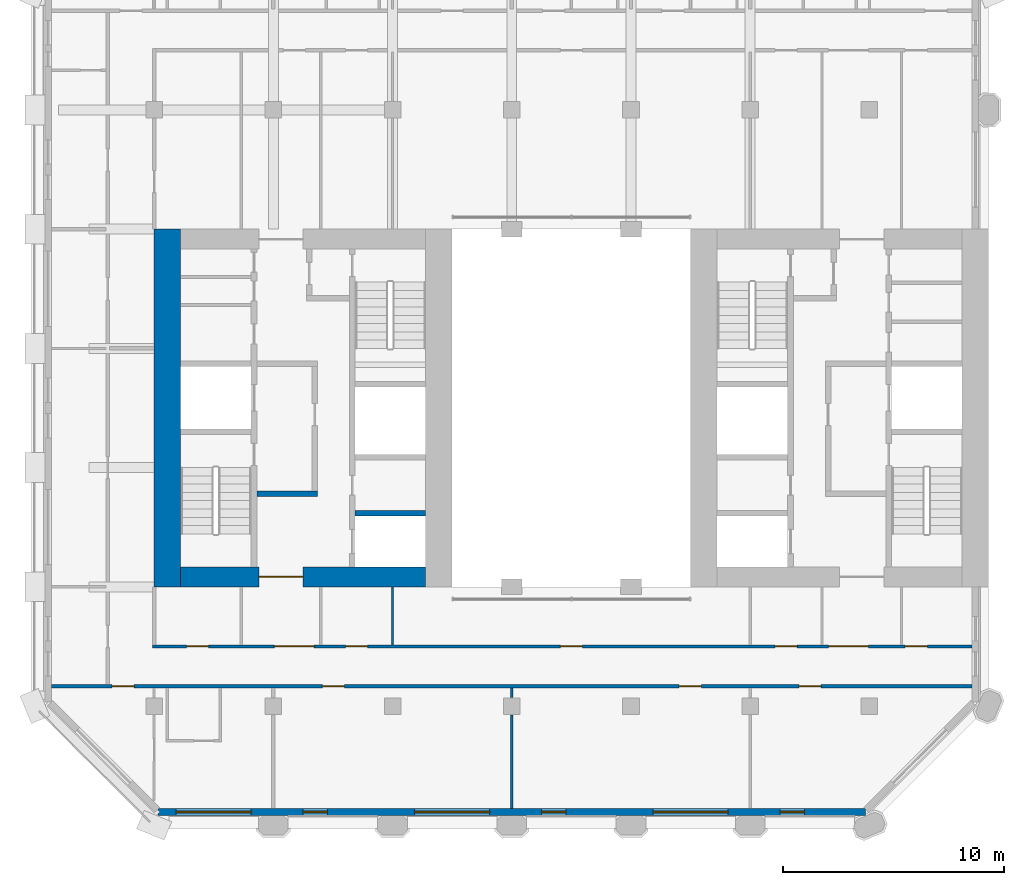
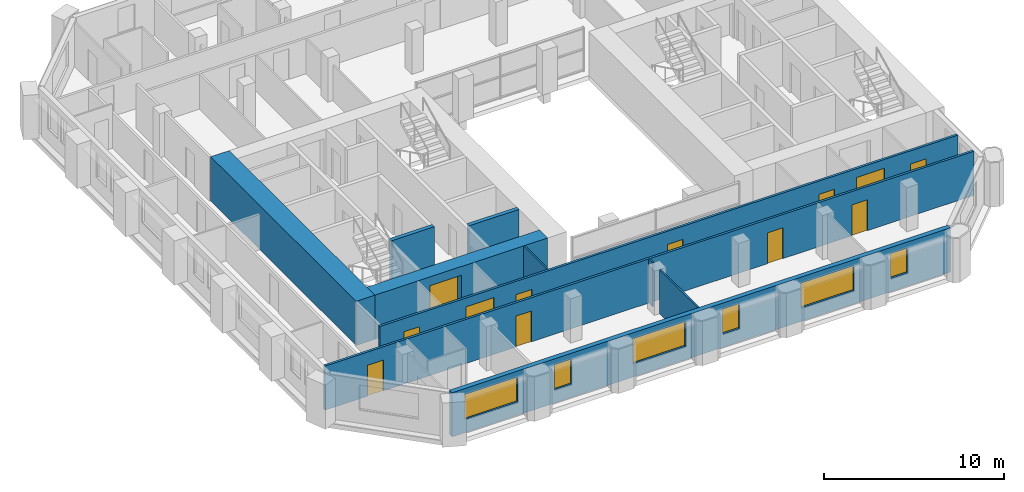
# One storey, part 6 of 14: 12 doors, 10 walls, 6 windows, 18 openings.
"""IFC4 building model written with IfcOpenShell, lengths in metres."""

import ifcopenshell
import ifcopenshell.guid

model = None  # the IFC model being written
_history = None  # IfcOwnerHistory: only IFC2X3 demands one
_inside = {}  # id of a spatial element -> (the spatial element, [elements in it])
_under = {}  # id of a project, library or spatial element -> (it, [spatial elements below it])
_declared = {}  # id of a project -> (the project, [libraries it declares])
_typed = {}  # id of a type object -> (the type object, [elements of that type])
_made_of = {}  # id of a material, layer set ... -> (it, [elements and type objects made of it])


def new_model(schema):
    """Start an empty IFC model of exactly this schema.

    Asked for "IFC4X3", IfcOpenShell would pick the latest addendum, in which some entities
    have other attributes; the version numbers below select the first issue.
    IFC2X3 requires an IfcOwnerHistory on every rooted entity: one is made here for all.
    """
    global model, _history
    if schema == "IFC4X3":
        model = ifcopenshell.file(schema_version=(4, 3, 0, 0))
    else:
        model = ifcopenshell.file(schema=schema)
    _inside.clear()
    _under.clear()
    _declared.clear()
    _typed.clear()
    _made_of.clear()
    _history = None
    if model.schema == "IFC2X3":
        org = make("IfcOrganization", Name="unknown")
        user = make(
            "IfcPersonAndOrganization",
            ThePerson=make("IfcPerson", FamilyName="unknown"),
            TheOrganization=org,
        )
        app = make(
            "IfcApplication",
            ApplicationDeveloper=org,
            Version="unknown",
            ApplicationFullName="unknown",
            ApplicationIdentifier="unknown",
        )
        _history = make(
            "IfcOwnerHistory",
            OwningUser=user,
            OwningApplication=app,
            ChangeAction="ADDED",
            CreationDate=0,
        )
    return model


def make(cls, **values):
    """One entity of the class cls with the attributes given. An attribute that is None is left unset."""
    return model.create_entity(
        cls, **{name: value for name, value in values.items() if value is not None}
    )


def rooted(cls, **values):
    """An entity with a GlobalId (a new one), such as an element, a storey or a relation."""
    return make(cls, GlobalId=ifcopenshell.guid.new(), OwnerHistory=_history, **values)


def si_unit(unit_type, name, prefix=None):
    """IfcSIUnit, for example si_unit("LENGTHUNIT", "METRE", prefix="MILLI")."""
    return make("IfcSIUnit", UnitType=unit_type, Prefix=prefix, Name=name)


def assignment(units):
    """IfcUnitAssignment: the units of a project."""
    return None if units is None else make("IfcUnitAssignment", Units=units)


def point(xyz):
    """IfcCartesianPoint."""
    return None if xyz is None else make("IfcCartesianPoint", Coordinates=xyz)


def direction(xyz):
    """IfcDirection."""
    return None if xyz is None else make("IfcDirection", DirectionRatios=xyz)


def frame(location, z_axis=None, x_axis=None):
    """IfcAxis2Placement3D, a coordinate frame: its origin and axes. An axis left out is left unset."""
    return make(
        "IfcAxis2Placement3D",
        Location=point(location),
        Axis=direction(z_axis),
        RefDirection=direction(x_axis),
    )


def frame_2d(location, x_axis=None):
    """IfcAxis2Placement2D, a coordinate frame in the plane: its origin and x axis."""
    return make(
        "IfcAxis2Placement2D", Location=point(location), RefDirection=direction(x_axis)
    )


def origin():
    """The frame at (0, 0, 0) with its axes left unset."""
    return frame((0.0, 0.0, 0.0))


def place(relative_to, where):
    """IfcLocalPlacement: puts the frame where relative to a parent placement (None: the world)."""
    return make(
        "IfcLocalPlacement", PlacementRelTo=relative_to, RelativePlacement=where
    )


def context(
    kind, dimensions, precision=None, world=None, true_north=None, identifier=None
):
    """IfcGeometricRepresentationContext, for example the 3D "Model" context."""
    return make(
        "IfcGeometricRepresentationContext",
        ContextIdentifier=identifier,
        ContextType=kind,
        CoordinateSpaceDimension=dimensions,
        Precision=precision,
        WorldCoordinateSystem=world,
        TrueNorth=true_north,
    )


def subcontext(parent, identifier, kind, view, scale=None):
    """IfcGeometricRepresentationSubContext, for example "Body" below "Model"."""
    return make(
        "IfcGeometricRepresentationSubContext",
        ContextIdentifier=identifier,
        ContextType=kind,
        ParentContext=parent,
        TargetScale=scale,
        TargetView=view,
    )


def project(units=None, contexts=None):
    """IfcProject with its units and contexts."""
    return rooted(
        "IfcProject",
        Name="project",
        RepresentationContexts=contexts,
        UnitsInContext=assignment(units),
    )


def spatial(cls, under=None, at=None, **own):
    """A site, building, storey or space (cls), placed at a placement, below another one or the project."""
    s = rooted(cls, ObjectPlacement=at, **own)
    if under is not None:
        _under.setdefault(under.id(), (under, []))[1].append(s)
    return s


def profile(cls, at=None, kind="AREA", **sizes):
    """A parametric profile (cls). Its sizes go by their IFC names, for example OverallWidth=200.0."""
    return make(cls, ProfileType=kind, Position=at, **sizes)


def rectangle(**sizes):
    """IfcRectangleProfileDef."""
    return profile("IfcRectangleProfileDef", **sizes)


def extrude(swept, where, along, depth):
    """IfcExtrudedAreaSolid: the profile swept, set in the frame where, extruded along a direction by depth."""
    return make(
        "IfcExtrudedAreaSolid",
        SweptArea=swept,
        Position=where,
        ExtrudedDirection=direction(along),
        Depth=depth,
    )


def shape(context_of_items, identifier, shape_type, items):
    """IfcShapeRepresentation: the items that make up one representation, for example the "Body"."""
    return make(
        "IfcShapeRepresentation",
        ContextOfItems=context_of_items,
        RepresentationIdentifier=identifier,
        RepresentationType=shape_type,
        Items=items,
    )


def material(Name=None, Category=None):
    """IfcMaterial."""
    return make("IfcMaterial", Name=Name, Category=Category)


def layer(
    of_material, thickness, ventilated=None, Name=None, Category=None, Priority=None
):
    """IfcMaterialLayer: one layer of a wall or slab, of a material (None: an air gap)."""
    return make(
        "IfcMaterialLayer",
        Material=of_material,
        LayerThickness=thickness,
        IsVentilated=ventilated,
        Name=Name,
        Category=Category,
        Priority=Priority,
    )


def layer_set(layers, Name=None):
    """IfcMaterialLayerSet."""
    return make("IfcMaterialLayerSet", MaterialLayers=layers, LayerSetName=Name)


def made_of(thing, what):
    """Note that an element or type object is made of a material, layer set ...; save() writes the relation."""
    if what is not None:
        _made_of.setdefault(what.id(), (what, []))[1].append(thing)
    return thing


def type_object(cls, material=None, **own):
    """A type object (cls), such as IfcWallType, which elements share."""
    return made_of(rooted(cls, **own), material)


def element(
    cls,
    number,
    at=None,
    inside=None,
    cuts=None,
    type_object=None,
    material=None,
    context=None,
    identifier="Body",
    shape_type=None,
    held_by="IfcProductDefinitionShape",
    body=None,
    shapes=None,
    **own,
):
    """One element of the class cls, such as IfcWall. Its Tag is "e" and its number.

    at: its placement. inside: the storey or other place that contains it. cuts: it is an
    opening in that element (IfcRelVoidsElement). A single representation is given by context,
    identifier, shape_type and body (its items); several are given by shapes. held_by: the class
    of the entity that holds the representations. save() writes the other relations.
    """
    e = rooted(cls, Tag="e%d" % number, ObjectPlacement=at, **own)
    if body is not None:
        shapes = [shape(context, identifier, shape_type, body)]
    if shapes is not None:
        e.Representation = make(held_by, Representations=shapes)
    if inside is not None:
        _inside.setdefault(inside.id(), (inside, []))[1].append(e)
    if cuts is not None:
        rooted(
            "IfcRelVoidsElement", RelatingBuildingElement=cuts, RelatedOpeningElement=e
        )
    if type_object is not None:
        _typed.setdefault(type_object.id(), (type_object, []))[1].append(e)
    return made_of(e, material)


def fill(opening, filler):
    """IfcRelFillsElement: the door or window that sits in an opening."""
    return rooted(
        "IfcRelFillsElement",
        RelatingOpeningElement=opening,
        RelatedBuildingElement=filler,
    )


def aggregate(whole, parts):
    """IfcRelAggregates: a whole, such as a stair, and the parts it consists of."""
    return rooted("IfcRelAggregates", RelatingObject=whole, RelatedObjects=parts)


def save(model, path):
    """Write the relations noted so far, then the file.

    IfcRelAggregates (storeys below a building ...), IfcRelContainedInSpatialStructure (elements
    in a storey), IfcRelDefinesByType, IfcRelAssociatesMaterial and IfcRelDeclares: one each for
    every whole, place, type object, material and project.
    """
    for whole, parts in _under.values():
        aggregate(whole, parts)
    for where, things in _inside.values():
        rooted(
            "IfcRelContainedInSpatialStructure",
            RelatedElements=things,
            RelatingStructure=where,
        )
    for kind, things in _typed.values():
        rooted("IfcRelDefinesByType", RelatedObjects=things, RelatingType=kind)
    for what, things in _made_of.values():
        rooted("IfcRelAssociatesMaterial", RelatedObjects=things, RelatingMaterial=what)
    for by, libraries in _declared.values():
        rooted("IfcRelDeclares", RelatingContext=by, RelatedDefinitions=libraries)
    model.write(path)


model = new_model("IFC4")

# Units and contexts
model_context = context("Model", 3, precision=1e-05, world=origin(), true_north=direction((0.0, 1.0)))
body_context = subcontext(model_context, "Body", "Model", "MODEL_VIEW")
ifc_project = project(units=[si_unit("LENGTHUNIT", "METRE"), si_unit("AREAUNIT", "SQUARE_METRE"), si_unit("VOLUMEUNIT", "CUBIC_METRE"), si_unit("PLANEANGLEUNIT", "RADIAN"), si_unit("MASSUNIT", "GRAM", prefix="KILO")], contexts=[model_context])

# Site, building, storey
site_placement = place(None, origin())
site = spatial("IfcSite", under=ifc_project, at=site_placement, CompositionType="ELEMENT")
building_placement = place(site_placement, origin())
building = spatial("IfcBuilding", under=site, at=building_placement, Name="Tabaq Tower and Sports Hall", CompositionType="ELEMENT")
storey_placement = place(building_placement, frame((0.0, 0.0, 226.89990234375)))
storey = spatial("IfcBuildingStorey", under=building, at=storey_placement, Name="L57", CompositionType="ELEMENT", Elevation=226.89990234375)

# Wall
ifc_material_1 = material(Name="Concrete C50/60", Category="concrete")
ifc_layer_1 = layer(ifc_material_1, 1.199951171875)
ifc_layer_set_1 = layer_set([ifc_layer_1], Name="Core wall 1200 Concrete C50/60")
wall_type_1 = type_object("IfcWallType", Name="Core wall 1200 Concrete C50/60", PredefinedType="SOLIDWALL", material=ifc_layer_set_1)
wall_1_placement = place(storey_placement, frame((6.0, 16.199951171875, 0.0), z_axis=(0.0, 0.0, 1.0), x_axis=(0.0, 1.0, 0.0)))
element("IfcWall", 1, at=wall_1_placement, inside=storey, type_object=wall_type_1, Name="Core wall W L57", PredefinedType="SOLIDWALL", context=body_context, shape_type="SweptSolid", body=[
    extrude(rectangle(XDim=16.199951171875, YDim=1.199951171875, at=frame_2d((8.10009765625, 0.0))), origin(), (0.0, 0.0, 1.0), 3.0),
])

# Wall, opening, door
ifc_material_2 = material(Name="Concrete C50/60", Category="concrete")
ifc_layer_2 = layer(ifc_material_2, 0.89990234375)
ifc_layer_set_2 = layer_set([ifc_layer_2], Name="Core wall 900 Concrete C50/60")
wall_type_2 = type_object("IfcWallType", Name="Core wall 900 Concrete C50/60", PredefinedType="SOLIDWALL", material=ifc_layer_set_2)
wall_2_placement = place(storey_placement, frame((17.699951171875, 16.64990234375, 0.0), z_axis=(0.0, 0.0, 1.0), x_axis=(-1.0, 0.0, 0.0)))
wall_2 = element("IfcWall", 2, at=wall_2_placement, inside=storey, type_object=wall_type_2, Name="Core wall W L57", PredefinedType="SOLIDWALL", context=body_context, shape_type="SweptSolid", body=[
    extrude(rectangle(XDim=11.099853515625, YDim=0.89990234375, at=frame_2d((5.5498046875, 0.0))), origin(), (0.0, 0.0, 1.0), 3.0),
])
opening_1_placement = place(wall_2_placement, frame((5.550048828125, 0.0, 0.0)))
opening_1 = element("IfcOpeningElement", 3, at=opening_1_placement, cuts=wall_2, Name="Opening PD-WL57-01", PredefinedType="OPENING", context=body_context, shape_type="SweptSolid", body=[
    extrude(rectangle(XDim=2.0, YDim=2.39990234375, at=frame_2d((1.0, 1.199951171875))), frame((0.0, 0.449951171875, 0.0), z_axis=(0.0, -1.0, 0.0), x_axis=(1.0, 0.0, 0.0)), (0.0, 0.0, 1.0), 0.89990234375),
])
ifc_material_3 = material(Name="Steel fire door", Category="steel")
door_type_1 = type_object("IfcDoorType", Name="Core entrance door 2000", OperationType="DOUBLE_DOOR_SINGLE_SWING", PredefinedType="DOOR", material=ifc_material_3)
door_1_placement = place(opening_1_placement, origin())
door_1 = element("IfcDoor", 4, at=door_1_placement, inside=storey, type_object=door_type_1, Name="Core entrance south W L57", OperationType="DOUBLE_DOOR_SINGLE_SWING", OverallHeight=2.39990234375, OverallWidth=2.0, PredefinedType="DOOR", context=body_context, shape_type="SweptSolid", body=[
    extrude(rectangle(XDim=2.0, YDim=2.39990234375, at=frame_2d((1.0, 1.199951171875))), frame((0.0, 0.02490234375, 0.0), z_axis=(0.0, -1.0, 0.0), x_axis=(1.0, 0.0, 0.0)), (0.0, 0.0, 1.0), 0.050048828125),
])
fill(opening_1, door_1)

# Walls
ifc_material_4 = material(Name="Gypsum board on steel studs", Category="steel")
ifc_layer_3 = layer(ifc_material_4, 0.10009765625)
ifc_layer_set_3 = layer_set([ifc_layer_3], Name="Partition 100 Gypsum board")
wall_type_3 = type_object("IfcWallType", Name="Partition 100 Gypsum board", PredefinedType="PARTITIONING", material=ifc_layer_set_3)
wall_3_placement = place(storey_placement, frame((21.60009765625, 11.625, 0.0), z_axis=(0.0, 0.0, 1.0), x_axis=(0.0, -1.0, 0.0)))
element("IfcWall", 5, at=wall_3_placement, inside=storey, type_object=wall_type_3, Name="Partition wall L57", PredefinedType="PARTITIONING", context=body_context, shape_type="SweptSolid", body=[
    extrude(rectangle(XDim=0.429931640625, YDim=0.10009765625, at=frame_2d((0.21484375, 0.0))), origin(), (0.0, 0.0, 1.0), 3.0),
])
wall_4_placement = place(storey_placement, frame((21.60009765625, 10.405029296875, 0.0), z_axis=(0.0, 0.0, 1.0), x_axis=(0.0, -1.0, 0.0)))
element("IfcWall", 6, at=wall_4_placement, inside=storey, type_object=wall_type_3, Name="Partition wall L57", PredefinedType="PARTITIONING", context=body_context, shape_type="SweptSolid", body=[
    extrude(rectangle(XDim=4.254150390625, YDim=0.10009765625, at=frame_2d((2.126953125, 0.0))), origin(), (0.0, 0.0, 1.0), 3.0),
])
wall_5_placement = place(storey_placement, frame((16.199951171875, 16.199951171875, 0.0), z_axis=(0.0, 0.0, 1.0), x_axis=(0.0, -1.0, 0.0)))
element("IfcWall", 7, at=wall_5_placement, inside=storey, type_object=wall_type_3, Name="Partition wall L57", PredefinedType="PARTITIONING", context=body_context, shape_type="SweptSolid", body=[
    extrude(rectangle(XDim=2.625, YDim=0.10009765625, at=frame_2d((1.3125, 0.0))), origin(), (0.0, 0.0, 1.0), 3.0),
])

# Wall, openings, doors
ifc_material_5 = material(Name="Blockwork", Category="masonry")
ifc_layer_4 = layer(ifc_material_5, 0.14990234375)
ifc_layer_set_4 = layer_set([ifc_layer_4], Name="Separating wall 150 Blockwork")
wall_type_4 = type_object("IfcWallType", Name="Separating wall 150 Blockwork", PredefinedType="PARTITIONING", material=ifc_layer_set_4)
wall_6_placement = place(storey_placement, frame((0.7509765625, 11.699951171875, 0.0), z_axis=(0.0, 0.0, 1.0), x_axis=(1.0, 0.0, 0.0)))
wall_6 = element("IfcWall", 8, at=wall_6_placement, inside=storey, type_object=wall_type_4, Name="Separating wall L57", PredefinedType="PARTITIONING", context=body_context, shape_type="SweptSolid", body=[
    extrude(rectangle(XDim=41.697998046875, YDim=0.14990234375, at=frame_2d((20.84912109375, 0.0))), origin(), (0.0, 0.0, 1.0), 3.0),
])
opening_2_placement = place(wall_6_placement, frame((33.865966796875, 0.0, 0.0)))
opening_2 = element("IfcOpeningElement", 9, at=opening_2_placement, cuts=wall_6, Name="Opening L57-014", PredefinedType="OPENING", context=body_context, shape_type="SweptSolid", body=[
    extrude(rectangle(XDim=1.0, YDim=2.10009765625, at=frame_2d((0.5, 1.050048828125))), frame((0.0, 0.074951171875, 0.0), z_axis=(0.0, -1.0, 0.0), x_axis=(1.0, 0.0, 0.0)), (0.0, 0.0, 1.0), 0.14990234375),
])
opening_3_placement = place(wall_6_placement, frame((28.431884765625, 0.0, 0.0)))
opening_3 = element("IfcOpeningElement", 10, at=opening_3_placement, cuts=wall_6, Name="Opening L57-015", PredefinedType="OPENING", context=body_context, shape_type="SweptSolid", body=[
    extrude(rectangle(XDim=1.0, YDim=2.10009765625, at=frame_2d((0.5, 1.050048828125))), frame((0.0, 0.074951171875, 0.0), z_axis=(0.0, -1.0, 0.0), x_axis=(1.0, 0.0, 0.0)), (0.0, 0.0, 1.0), 0.14990234375),
])
opening_4_placement = place(wall_6_placement, frame((12.26611328125, 0.0, 0.0)))
opening_4 = element("IfcOpeningElement", 11, at=opening_4_placement, cuts=wall_6, Name="Opening L57-016", PredefinedType="OPENING", context=body_context, shape_type="SweptSolid", body=[
    extrude(rectangle(XDim=1.0, YDim=2.10009765625, at=frame_2d((0.5, 1.050048828125))), frame((0.0, 0.074951171875, 0.0), z_axis=(0.0, -1.0, 0.0), x_axis=(1.0, 0.0, 0.0)), (0.0, 0.0, 1.0), 0.14990234375),
])
opening_5_placement = place(wall_6_placement, frame((2.743896484375, 0.0, 0.0)))
opening_5 = element("IfcOpeningElement", 12, at=opening_5_placement, cuts=wall_6, Name="Opening L57-036", PredefinedType="OPENING", context=body_context, shape_type="SweptSolid", body=[
    extrude(rectangle(XDim=1.0, YDim=2.10009765625, at=frame_2d((0.5, 1.050048828125))), frame((0.0, 0.074951171875, 0.0), z_axis=(0.0, -1.0, 0.0), x_axis=(1.0, 0.0, 0.0)), (0.0, 0.0, 1.0), 0.14990234375),
])
ifc_material_6 = material(Name="Steel fire door", Category="steel")
door_type_2 = type_object("IfcDoorType", Name="Entrance door 1000 right hand", OperationType="SINGLE_SWING_RIGHT", PredefinedType="DOOR", material=ifc_material_6)
door_2_placement = place(opening_5_placement, origin())
door_2 = element("IfcDoor", 13, at=door_2_placement, inside=storey, type_object=door_type_2, Name="Entrance door L57-036", OperationType="SINGLE_SWING_RIGHT", OverallHeight=2.10009765625, OverallWidth=1.0, PredefinedType="DOOR", context=body_context, shape_type="SweptSolid", body=[
    extrude(rectangle(XDim=1.0, YDim=2.10009765625, at=frame_2d((0.5, 1.050048828125))), frame((0.0, 0.02490234375, 0.0), z_axis=(0.0, -1.0, 0.0), x_axis=(1.0, 0.0, 0.0)), (0.0, 0.0, 1.0), 0.050048828125),
])
fill(opening_5, door_2)
ifc_material_7 = material(Name="Timber leaf in steel frame", Category="steel")
door_type_3 = type_object("IfcDoorType", Name="Internal door 1000 left hand", OperationType="SINGLE_SWING_LEFT", PredefinedType="DOOR", material=ifc_material_7)
door_3_placement = place(opening_3_placement, origin())
door_3 = element("IfcDoor", 14, at=door_3_placement, inside=storey, type_object=door_type_3, Name="Internal door L57-015", OperationType="SINGLE_SWING_LEFT", OverallHeight=2.10009765625, OverallWidth=1.0, PredefinedType="DOOR", context=body_context, shape_type="SweptSolid", body=[
    extrude(rectangle(XDim=1.0, YDim=2.10009765625, at=frame_2d((0.5, 1.050048828125))), frame((0.0, 0.02490234375, 0.0), z_axis=(0.0, -1.0, 0.0), x_axis=(1.0, 0.0, 0.0)), (0.0, 0.0, 1.0), 0.050048828125),
])
fill(opening_3, door_3)
door_4_placement = place(opening_4_placement, origin())
door_4 = element("IfcDoor", 15, at=door_4_placement, inside=storey, type_object=door_type_3, Name="Internal door L57-016", OperationType="SINGLE_SWING_LEFT", OverallHeight=2.10009765625, OverallWidth=1.0, PredefinedType="DOOR", context=body_context, shape_type="SweptSolid", body=[
    extrude(rectangle(XDim=1.0, YDim=2.10009765625, at=frame_2d((0.5, 1.050048828125))), frame((0.0, 0.02490234375, 0.0), z_axis=(0.0, -1.0, 0.0), x_axis=(1.0, 0.0, 0.0)), (0.0, 0.0, 1.0), 0.050048828125),
])
fill(opening_4, door_4)
ifc_material_8 = material(Name="Timber leaf in steel frame", Category="steel")
door_type_4 = type_object("IfcDoorType", Name="Internal door 1000 right hand", OperationType="SINGLE_SWING_RIGHT", PredefinedType="DOOR", material=ifc_material_8)
door_5_placement = place(opening_2_placement, origin())
door_5 = element("IfcDoor", 16, at=door_5_placement, inside=storey, type_object=door_type_4, Name="Internal door L57-014", OperationType="SINGLE_SWING_RIGHT", OverallHeight=2.10009765625, OverallWidth=1.0, PredefinedType="DOOR", context=body_context, shape_type="SweptSolid", body=[
    extrude(rectangle(XDim=1.0, YDim=2.10009765625, at=frame_2d((0.5, 1.050048828125))), frame((0.0, 0.02490234375, 0.0), z_axis=(0.0, -1.0, 0.0), x_axis=(1.0, 0.0, 0.0)), (0.0, 0.0, 1.0), 0.050048828125),
])
fill(opening_2, door_5)

wall_7_placement = place(storey_placement, frame((5.324951171875, 13.5, 0.0), z_axis=(0.0, 0.0, 1.0), x_axis=(1.0, 0.0, 0.0)))
wall_7 = element("IfcWall", 17, at=wall_7_placement, inside=storey, type_object=wall_type_4, Name="Separating wall L57", PredefinedType="PARTITIONING", context=body_context, shape_type="SweptSolid", body=[
    extrude(rectangle(XDim=37.1240234375, YDim=0.14990234375, at=frame_2d((18.56201171875, 0.0))), origin(), (0.0, 0.0, 1.0), 3.0),
])
opening_6_placement = place(wall_7_placement, frame((18.47509765625, 0.0, 0.0)))
opening_6 = element("IfcOpeningElement", 18, at=opening_6_placement, cuts=wall_7, Name="Opening L57-018", PredefinedType="OPENING", context=body_context, shape_type="SweptSolid", body=[
    extrude(rectangle(XDim=1.0, YDim=2.10009765625, at=frame_2d((0.5, 1.050048828125))), frame((0.0, 0.074951171875, 0.0), z_axis=(0.0, -1.0, 0.0), x_axis=(1.0, 0.0, 0.0)), (0.0, 0.0, 1.0), 0.14990234375),
])
opening_7_placement = place(wall_7_placement, frame((34.094970703125, 0.0, 0.0)))
opening_7 = element("IfcOpeningElement", 19, at=opening_7_placement, cuts=wall_7, Name="Opening L57-020", PredefinedType="OPENING", context=body_context, shape_type="SweptSolid", body=[
    extrude(rectangle(XDim=1.0, YDim=2.10009765625, at=frame_2d((0.5, 1.050048828125))), frame((0.0, 0.074951171875, 0.0), z_axis=(0.0, -1.0, 0.0), x_axis=(1.0, 0.0, 0.0)), (0.0, 0.0, 1.0), 0.14990234375),
])
opening_8_placement = place(wall_7_placement, frame((8.75, 0.0, 0.0)))
opening_8 = element("IfcOpeningElement", 20, at=opening_8_placement, cuts=wall_7, Name="Opening L57-021", PredefinedType="OPENING", context=body_context, shape_type="SweptSolid", body=[
    extrude(rectangle(XDim=1.0, YDim=2.10009765625, at=frame_2d((0.5, 1.050048828125))), frame((0.0, 0.074951171875, 0.0), z_axis=(0.0, -1.0, 0.0), x_axis=(1.0, 0.0, 0.0)), (0.0, 0.0, 1.0), 0.14990234375),
])
opening_9_placement = place(wall_7_placement, frame((1.550048828125, 0.0, 0.0)))
opening_9 = element("IfcOpeningElement", 21, at=opening_9_placement, cuts=wall_7, Name="Opening L57-022", PredefinedType="OPENING", context=body_context, shape_type="SweptSolid", body=[
    extrude(rectangle(XDim=1.0, YDim=2.10009765625, at=frame_2d((0.5, 1.050048828125))), frame((0.0, 0.074951171875, 0.0), z_axis=(0.0, -1.0, 0.0), x_axis=(1.0, 0.0, 0.0)), (0.0, 0.0, 1.0), 0.14990234375),
])
opening_10_placement = place(wall_7_placement, frame((28.199951171875, 0.0, 0.0)))
opening_10 = element("IfcOpeningElement", 22, at=opening_10_placement, cuts=wall_7, Name="Opening L57-023", PredefinedType="OPENING", context=body_context, shape_type="SweptSolid", body=[
    extrude(rectangle(XDim=1.0, YDim=2.10009765625, at=frame_2d((0.5, 1.050048828125))), frame((0.0, 0.074951171875, 0.0), z_axis=(0.0, -1.0, 0.0), x_axis=(1.0, 0.0, 0.0)), (0.0, 0.0, 1.0), 0.14990234375),
])
opening_11_placement = place(wall_7_placement, frame((30.625, 0.0, 0.0)))
opening_11 = element("IfcOpeningElement", 23, at=opening_11_placement, cuts=wall_7, Name="Opening L57-037", PredefinedType="OPENING", context=body_context, shape_type="SweptSolid", body=[
    extrude(rectangle(XDim=1.800048828125, YDim=2.39990234375, at=frame_2d((0.89990234375, 1.199951171875))), frame((0.0, 0.074951171875, 0.0), z_axis=(0.0, -1.0, 0.0), x_axis=(1.0, 0.0, 0.0)), (0.0, 0.0, 1.0), 0.14990234375),
])
opening_12_placement = place(wall_7_placement, frame((5.52490234375, 0.0, 0.0)))
opening_12 = element("IfcOpeningElement", 24, at=opening_12_placement, cuts=wall_7, Name="Opening L57-038", PredefinedType="OPENING", context=body_context, shape_type="SweptSolid", body=[
    extrude(rectangle(XDim=1.800048828125, YDim=2.39990234375, at=frame_2d((0.89990234375, 1.199951171875))), frame((0.0, 0.074951171875, 0.0), z_axis=(0.0, -1.0, 0.0), x_axis=(1.0, 0.0, 0.0)), (0.0, 0.0, 1.0), 0.14990234375),
])
door_6_placement = place(opening_7_placement, origin())
door_6 = element("IfcDoor", 25, at=door_6_placement, inside=storey, type_object=door_type_3, Name="Internal door L57-020", OperationType="SINGLE_SWING_LEFT", OverallHeight=2.10009765625, OverallWidth=1.0, PredefinedType="DOOR", context=body_context, shape_type="SweptSolid", body=[
    extrude(rectangle(XDim=1.0, YDim=2.10009765625, at=frame_2d((0.5, 1.050048828125))), frame((0.0, 0.02490234375, 0.0), z_axis=(0.0, -1.0, 0.0), x_axis=(1.0, 0.0, 0.0)), (0.0, 0.0, 1.0), 0.050048828125),
])
fill(opening_7, door_6)
door_7_placement = place(opening_9_placement, origin())
door_7 = element("IfcDoor", 26, at=door_7_placement, inside=storey, type_object=door_type_3, Name="Internal door L57-022", OperationType="SINGLE_SWING_LEFT", OverallHeight=2.10009765625, OverallWidth=1.0, PredefinedType="DOOR", context=body_context, shape_type="SweptSolid", body=[
    extrude(rectangle(XDim=1.0, YDim=2.10009765625, at=frame_2d((0.5, 1.050048828125))), frame((0.0, 0.02490234375, 0.0), z_axis=(0.0, -1.0, 0.0), x_axis=(1.0, 0.0, 0.0)), (0.0, 0.0, 1.0), 0.050048828125),
])
fill(opening_9, door_7)
door_8_placement = place(opening_6_placement, origin())
door_8 = element("IfcDoor", 27, at=door_8_placement, inside=storey, type_object=door_type_4, Name="Internal door L57-018", OperationType="SINGLE_SWING_RIGHT", OverallHeight=2.10009765625, OverallWidth=1.0, PredefinedType="DOOR", context=body_context, shape_type="SweptSolid", body=[
    extrude(rectangle(XDim=1.0, YDim=2.10009765625, at=frame_2d((0.5, 1.050048828125))), frame((0.0, 0.02490234375, 0.0), z_axis=(0.0, -1.0, 0.0), x_axis=(1.0, 0.0, 0.0)), (0.0, 0.0, 1.0), 0.050048828125),
])
fill(opening_6, door_8)
door_9_placement = place(opening_8_placement, origin())
door_9 = element("IfcDoor", 28, at=door_9_placement, inside=storey, type_object=door_type_4, Name="Internal door L57-021", OperationType="SINGLE_SWING_RIGHT", OverallHeight=2.10009765625, OverallWidth=1.0, PredefinedType="DOOR", context=body_context, shape_type="SweptSolid", body=[
    extrude(rectangle(XDim=1.0, YDim=2.10009765625, at=frame_2d((0.5, 1.050048828125))), frame((0.0, 0.02490234375, 0.0), z_axis=(0.0, -1.0, 0.0), x_axis=(1.0, 0.0, 0.0)), (0.0, 0.0, 1.0), 0.050048828125),
])
fill(opening_8, door_9)
door_10_placement = place(opening_10_placement, origin())
door_10 = element("IfcDoor", 29, at=door_10_placement, inside=storey, type_object=door_type_4, Name="Internal door L57-023", OperationType="SINGLE_SWING_RIGHT", OverallHeight=2.10009765625, OverallWidth=1.0, PredefinedType="DOOR", context=body_context, shape_type="SweptSolid", body=[
    extrude(rectangle(XDim=1.0, YDim=2.10009765625, at=frame_2d((0.5, 1.050048828125))), frame((0.0, 0.02490234375, 0.0), z_axis=(0.0, -1.0, 0.0), x_axis=(1.0, 0.0, 0.0)), (0.0, 0.0, 1.0), 0.050048828125),
])
fill(opening_10, door_10)
ifc_material_9 = material(Name="Timber leaf in steel frame", Category="steel")
door_type_5 = type_object("IfcDoorType", Name="Internal door 1800", OperationType="DOUBLE_DOOR_SINGLE_SWING", PredefinedType="DOOR", material=ifc_material_9)
door_11_placement = place(opening_11_placement, origin())
door_11 = element("IfcDoor", 30, at=door_11_placement, inside=storey, type_object=door_type_5, Name="Internal door L57-037", OperationType="DOUBLE_DOOR_SINGLE_SWING", OverallHeight=2.39990234375, OverallWidth=1.800048828125, PredefinedType="DOOR", context=body_context, shape_type="SweptSolid", body=[
    extrude(rectangle(XDim=1.800048828125, YDim=2.39990234375, at=frame_2d((0.89990234375, 1.199951171875))), frame((0.0, 0.02490234375, 0.0), z_axis=(0.0, -1.0, 0.0), x_axis=(1.0, 0.0, 0.0)), (0.0, 0.0, 1.0), 0.050048828125),
])
fill(opening_11, door_11)
door_12_placement = place(opening_12_placement, origin())
door_12 = element("IfcDoor", 31, at=door_12_placement, inside=storey, type_object=door_type_5, Name="Internal door L57-038", OperationType="DOUBLE_DOOR_SINGLE_SWING", OverallHeight=2.39990234375, OverallWidth=1.800048828125, PredefinedType="DOOR", context=body_context, shape_type="SweptSolid", body=[
    extrude(rectangle(XDim=1.800048828125, YDim=2.39990234375, at=frame_2d((0.89990234375, 1.199951171875))), frame((0.0, 0.02490234375, 0.0), z_axis=(0.0, -1.0, 0.0), x_axis=(1.0, 0.0, 0.0)), (0.0, 0.0, 1.0), 0.050048828125),
])
fill(opening_12, door_12)

# Walls
ifc_material_10 = material(Name="Concrete C40/50", Category="concrete")
ifc_layer_5 = layer(ifc_material_10, 0.25)
ifc_layer_set_5 = layer_set([ifc_layer_5], Name="Shaft and stair wall 250 Concrete C40/50")
wall_type_5 = type_object("IfcWallType", Name="Shaft and stair wall 250 Concrete C40/50", PredefinedType="SOLIDWALL", material=ifc_layer_set_5)
wall_8_placement = place(storey_placement, frame((10.050048828125, 20.425048828125, 0.0), z_axis=(0.0, 0.0, 1.0), x_axis=(1.0, 0.0, 0.0)))
element("IfcWall", 32, at=wall_8_placement, inside=storey, type_object=wall_type_5, Name="Fire-fighting lobby wall W L57", PredefinedType="SOLIDWALL", context=body_context, shape_type="SweptSolid", body=[
    extrude(rectangle(XDim=2.75, YDim=0.25, at=frame_2d((1.375, 0.0))), origin(), (0.0, 0.0, 1.0), 3.0),
])
wall_9_placement = place(storey_placement, frame((14.5, 19.52490234375, 0.0), z_axis=(0.0, 0.0, 1.0), x_axis=(1.0, 0.0, 0.0)))
element("IfcWall", 33, at=wall_9_placement, inside=storey, type_object=wall_type_5, Name="Shaft wall W L57", PredefinedType="SOLIDWALL", context=body_context, shape_type="SweptSolid", body=[
    extrude(rectangle(XDim=3.199951171875, YDim=0.25, at=frame_2d((1.60009765625, 0.0))), origin(), (0.0, 0.0, 1.0), 3.0),
])

# Wall, openings, windows
ifc_material_11 = material(Name="White precast concrete C60/75", Category="concrete")
ifc_layer_6 = layer(ifc_material_11, 0.300048828125)
ifc_layer_set_6 = layer_set([ifc_layer_6], Name="White precast concrete C60/75 external wall 300")
wall_type_6 = type_object("IfcWallType", Name="White precast concrete C60/75 external wall 300", PredefinedType="SOLIDWALL", material=ifc_layer_set_6)
wall_10_placement = place(storey_placement, frame((5.58642578125, 6.0, 0.0), z_axis=(0.0, 0.0, 1.0), x_axis=(1.0, 0.0, 0.0)))
wall_10 = element("IfcWall", 34, at=wall_10_placement, inside=storey, type_object=wall_type_6, Name="External Wall L57 S", PredefinedType="SOLIDWALL", context=body_context, shape_type="SweptSolid", body=[
    extrude(rectangle(XDim=32.027099609375, YDim=0.300048828125, at=frame_2d((16.013671875, 0.0))), origin(), (0.0, 0.0, 1.0), 3.0),
])
opening_13_placement = place(wall_10_placement, frame((0.813720703125, 0.0, 0.89990234375)))
opening_13 = element("IfcOpeningElement", 35, at=opening_13_placement, cuts=wall_10, Name="Opening W1A", PredefinedType="OPENING", context=body_context, shape_type="SweptSolid", body=[
    extrude(rectangle(XDim=3.39990234375, YDim=1.699951171875, at=frame_2d((1.699951171875, 0.85009765625))), frame((0.0, 0.16015625, 0.0), z_axis=(0.0, -1.0, 0.0), x_axis=(1.0, 0.0, 0.0)), (0.0, 0.0, 1.0), 0.320068359375),
])
opening_14_placement = place(wall_10_placement, frame((6.563720703125, 0.0, 0.89990234375)))
opening_14 = element("IfcOpeningElement", 36, at=opening_14_placement, cuts=wall_10, Name="Opening W1B", PredefinedType="OPENING", context=body_context, shape_type="SweptSolid", body=[
    extrude(rectangle(XDim=1.10009765625, YDim=1.699951171875, at=frame_2d((0.550048828125, 0.85009765625))), frame((0.0, 0.16015625, 0.0), z_axis=(0.0, -1.0, 0.0), x_axis=(1.0, 0.0, 0.0)), (0.0, 0.0, 1.0), 0.320068359375),
])
opening_15_placement = place(wall_10_placement, frame((11.613525390625, 0.0, 0.89990234375)))
opening_15 = element("IfcOpeningElement", 37, at=opening_15_placement, cuts=wall_10, Name="Opening W1A", PredefinedType="OPENING", context=body_context, shape_type="SweptSolid", body=[
    extrude(rectangle(XDim=3.39990234375, YDim=1.699951171875, at=frame_2d((1.699951171875, 0.85009765625))), frame((0.0, 0.16015625, 0.0), z_axis=(0.0, -1.0, 0.0), x_axis=(1.0, 0.0, 0.0)), (0.0, 0.0, 1.0), 0.320068359375),
])
opening_16_placement = place(wall_10_placement, frame((17.363525390625, 0.0, 0.89990234375)))
opening_16 = element("IfcOpeningElement", 38, at=opening_16_placement, cuts=wall_10, Name="Opening W1B", PredefinedType="OPENING", context=body_context, shape_type="SweptSolid", body=[
    extrude(rectangle(XDim=1.10009765625, YDim=1.699951171875, at=frame_2d((0.550048828125, 0.85009765625))), frame((0.0, 0.16015625, 0.0), z_axis=(0.0, -1.0, 0.0), x_axis=(1.0, 0.0, 0.0)), (0.0, 0.0, 1.0), 0.320068359375),
])
opening_17_placement = place(wall_10_placement, frame((22.41357421875, 0.0, 0.89990234375)))
opening_17 = element("IfcOpeningElement", 39, at=opening_17_placement, cuts=wall_10, Name="Opening W1A", PredefinedType="OPENING", context=body_context, shape_type="SweptSolid", body=[
    extrude(rectangle(XDim=3.39990234375, YDim=1.699951171875, at=frame_2d((1.699951171875, 0.85009765625))), frame((0.0, 0.16015625, 0.0), z_axis=(0.0, -1.0, 0.0), x_axis=(1.0, 0.0, 0.0)), (0.0, 0.0, 1.0), 0.320068359375),
])
opening_18_placement = place(wall_10_placement, frame((28.16357421875, 0.0, 0.89990234375)))
opening_18 = element("IfcOpeningElement", 40, at=opening_18_placement, cuts=wall_10, Name="Opening W1B", PredefinedType="OPENING", context=body_context, shape_type="SweptSolid", body=[
    extrude(rectangle(XDim=1.10009765625, YDim=1.699951171875, at=frame_2d((0.550048828125, 0.85009765625))), frame((0.0, 0.16015625, 0.0), z_axis=(0.0, -1.0, 0.0), x_axis=(1.0, 0.0, 0.0)), (0.0, 0.0, 1.0), 0.320068359375),
])
ifc_material_12 = material(Name="Aluminium framed clear glazing", Category="aluminium")
window_type_1 = type_object("IfcWindowType", Name="Window W1A", PartitioningType="SINGLE_PANEL", PredefinedType="WINDOW", material=ifc_material_12)
window_1_placement = place(opening_13_placement, origin())
window_1 = element("IfcWindow", 41, at=window_1_placement, inside=storey, type_object=window_type_1, Name="Window W1A L57", OverallHeight=1.699951171875, OverallWidth=3.39990234375, PartitioningType="SINGLE_PANEL", PredefinedType="WINDOW", context=body_context, shape_type="SweptSolid", body=[
    extrude(rectangle(XDim=3.39990234375, YDim=1.699951171875, at=frame_2d((1.699951171875, 0.85009765625))), frame((0.0, 0.030029296875, 0.0), z_axis=(0.0, -1.0, 0.0), x_axis=(1.0, 0.0, 0.0)), (0.0, 0.0, 1.0), 0.06005859375),
])
fill(opening_13, window_1)
window_2_placement = place(opening_15_placement, origin())
window_2 = element("IfcWindow", 42, at=window_2_placement, inside=storey, type_object=window_type_1, Name="Window W1A L57", OverallHeight=1.699951171875, OverallWidth=3.39990234375, PartitioningType="SINGLE_PANEL", PredefinedType="WINDOW", context=body_context, shape_type="SweptSolid", body=[
    extrude(rectangle(XDim=3.39990234375, YDim=1.699951171875, at=frame_2d((1.699951171875, 0.85009765625))), frame((0.0, 0.030029296875, 0.0), z_axis=(0.0, -1.0, 0.0), x_axis=(1.0, 0.0, 0.0)), (0.0, 0.0, 1.0), 0.06005859375),
])
fill(opening_15, window_2)
window_3_placement = place(opening_17_placement, origin())
window_3 = element("IfcWindow", 43, at=window_3_placement, inside=storey, type_object=window_type_1, Name="Window W1A L57", OverallHeight=1.699951171875, OverallWidth=3.39990234375, PartitioningType="SINGLE_PANEL", PredefinedType="WINDOW", context=body_context, shape_type="SweptSolid", body=[
    extrude(rectangle(XDim=3.39990234375, YDim=1.699951171875, at=frame_2d((1.699951171875, 0.85009765625))), frame((0.0, 0.030029296875, 0.0), z_axis=(0.0, -1.0, 0.0), x_axis=(1.0, 0.0, 0.0)), (0.0, 0.0, 1.0), 0.06005859375),
])
fill(opening_17, window_3)
ifc_material_13 = material(Name="Aluminium framed clear glazing", Category="aluminium")
window_type_2 = type_object("IfcWindowType", Name="Window W1B", PartitioningType="SINGLE_PANEL", PredefinedType="WINDOW", material=ifc_material_13)
window_4_placement = place(opening_14_placement, origin())
window_4 = element("IfcWindow", 44, at=window_4_placement, inside=storey, type_object=window_type_2, Name="Window W1B L57", OverallHeight=1.699951171875, OverallWidth=1.10009765625, PartitioningType="SINGLE_PANEL", PredefinedType="WINDOW", context=body_context, shape_type="SweptSolid", body=[
    extrude(rectangle(XDim=1.10009765625, YDim=1.699951171875, at=frame_2d((0.550048828125, 0.85009765625))), frame((0.0, 0.030029296875, 0.0), z_axis=(0.0, -1.0, 0.0), x_axis=(1.0, 0.0, 0.0)), (0.0, 0.0, 1.0), 0.06005859375),
])
fill(opening_14, window_4)
window_5_placement = place(opening_16_placement, origin())
window_5 = element("IfcWindow", 45, at=window_5_placement, inside=storey, type_object=window_type_2, Name="Window W1B L57", OverallHeight=1.699951171875, OverallWidth=1.10009765625, PartitioningType="SINGLE_PANEL", PredefinedType="WINDOW", context=body_context, shape_type="SweptSolid", body=[
    extrude(rectangle(XDim=1.10009765625, YDim=1.699951171875, at=frame_2d((0.550048828125, 0.85009765625))), frame((0.0, 0.030029296875, 0.0), z_axis=(0.0, -1.0, 0.0), x_axis=(1.0, 0.0, 0.0)), (0.0, 0.0, 1.0), 0.06005859375),
])
fill(opening_16, window_5)
window_6_placement = place(opening_18_placement, origin())
window_6 = element("IfcWindow", 46, at=window_6_placement, inside=storey, type_object=window_type_2, Name="Window W1B L57", OverallHeight=1.699951171875, OverallWidth=1.10009765625, PartitioningType="SINGLE_PANEL", PredefinedType="WINDOW", context=body_context, shape_type="SweptSolid", body=[
    extrude(rectangle(XDim=1.10009765625, YDim=1.699951171875, at=frame_2d((0.550048828125, 0.85009765625))), frame((0.0, 0.030029296875, 0.0), z_axis=(0.0, -1.0, 0.0), x_axis=(1.0, 0.0, 0.0)), (0.0, 0.0, 1.0), 0.06005859375),
])
fill(opening_18, window_6)

save(model, "model.ifc")
